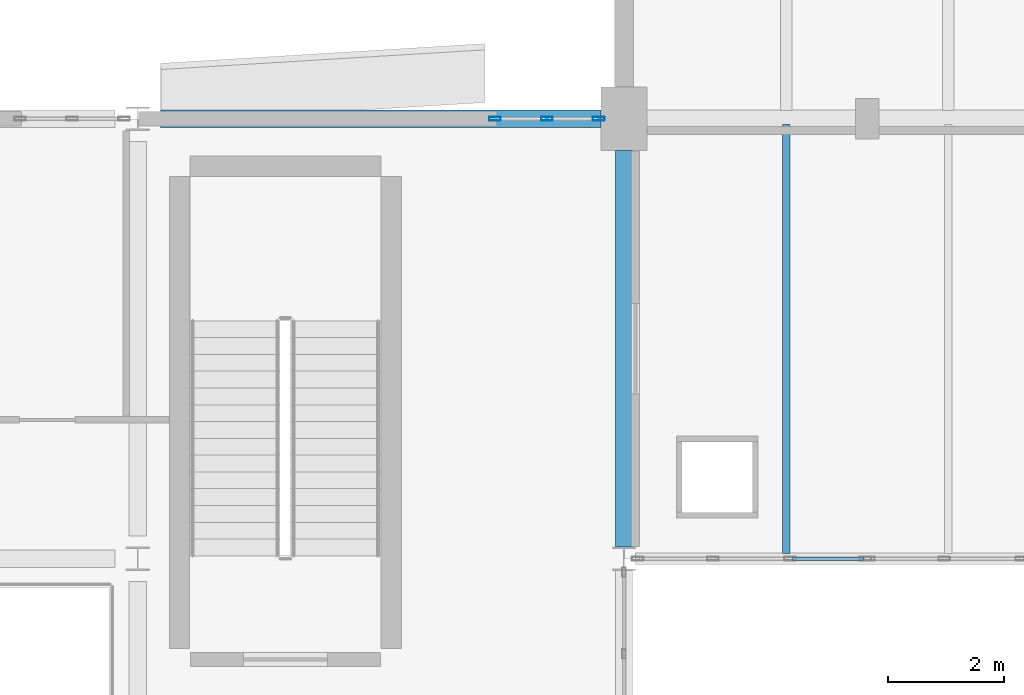
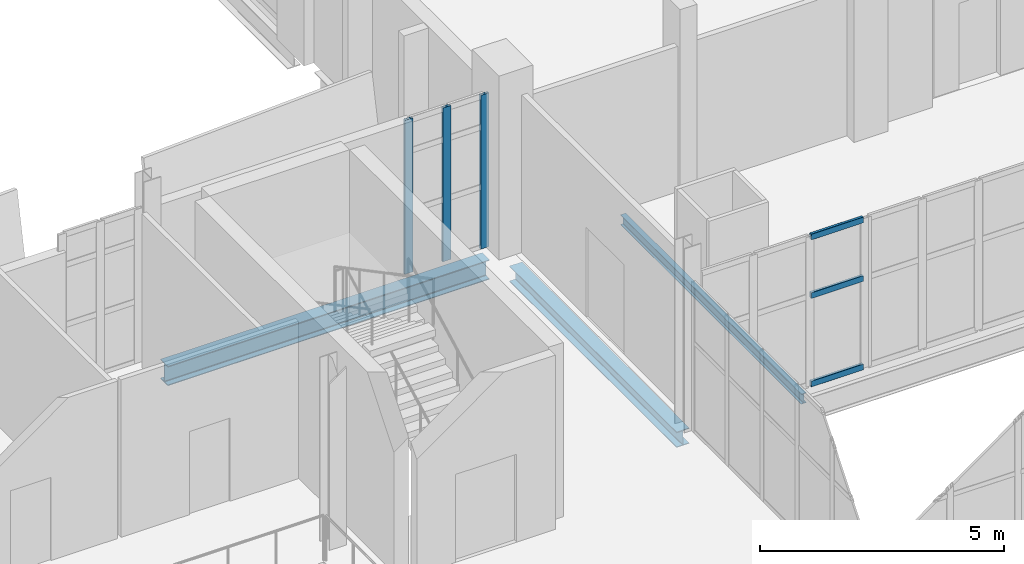
# One storey, part 70 of 172: 6 members, 3 beams, 2 elements without a shape of their own.
"""IFC4 building model written with IfcOpenShell, lengths in metres."""

from ifc_helpers import new_model, si_unit, direction, frame, origin, origin_2d, place, context, subcontext, project, spatial, hollow_rectangle, i_section, extrude, material, material_profile, profile_set, type_object, element, aggregate, save


model = new_model("IFC4")

# Units and contexts
model_context = context("Model", 3, precision=1e-05, world=origin(), true_north=direction((0.0, 1.0)))
body_context = subcontext(model_context, "Body", "Model", "MODEL_VIEW")
ifc_project = project(units=[si_unit("LENGTHUNIT", "METRE"), si_unit("AREAUNIT", "SQUARE_METRE"), si_unit("VOLUMEUNIT", "CUBIC_METRE"), si_unit("PLANEANGLEUNIT", "RADIAN"), si_unit("MASSUNIT", "GRAM", prefix="KILO")], contexts=[model_context])

# Site, building, storey
site_placement = place(None, origin())
site = spatial("IfcSite", under=ifc_project, at=site_placement, CompositionType="ELEMENT")
building_placement = place(site_placement, origin())
building = spatial("IfcBuilding", under=site, at=building_placement, Name="Shengluoqiao Park Theatre", CompositionType="ELEMENT")
storey_placement = place(building_placement, frame((0.0, 0.0, 5.39990234375)))
storey = spatial("IfcBuildingStorey", under=building, at=storey_placement, Name="L01", CompositionType="ELEMENT", Elevation=5.39990234375)

# Curtain wall, members
ifc_material_1 = material(Name="Aluminium 6063-T6", Category="aluminium")
curtain_wall_type_1 = type_object("IfcCurtainWallType", Name="ENV-CW-FOYER", PredefinedType="NOTDEFINED", material=ifc_material_1)
curtain_wall_1_placement = place(storey_placement, origin())
curtain_wall_1 = element("IfcCurtainWall", 1, at=curtain_wall_1_placement, inside=storey, type_object=curtain_wall_type_1, Name="L01 Curtain Wall CW-L01-0050", PredefinedType="NOTDEFINED")
ifc_material_profile_1 = material_profile(ifc_material_1, hollow_rectangle(XDim=0.06494140625, YDim=0.199951171875, WallThickness=0.0048828125, InnerFilletRadius=0.0048828125, OuterFilletRadius=0.010009765625, at=origin_2d()), Name="ALU MULLION 200x65x5")
ifc_profile_set_1 = profile_set([ifc_material_profile_1], Name="Aluminium 6063-T6")
member_type_1 = type_object("IfcMemberType", Name="ENV-MUL-200", PredefinedType="MULLION", material=ifc_profile_set_1)
member_1_placement = place(storey_placement, frame((42.16845703125, 76.0, 0.0), z_axis=(0.0, 0.0, 1.0), x_axis=(0.0, 1.0, 0.0)))
member_1 = element("IfcMember", 2, at=member_1_placement, type_object=member_type_1, Name="CW-01 mullion 1", PredefinedType="MULLION", context=body_context, shape_type="SweptSolid", body=[
    extrude(hollow_rectangle(XDim=0.06494140625, YDim=0.199951171875, WallThickness=0.0048828125, InnerFilletRadius=0.0048828125, OuterFilletRadius=0.010009765625, at=origin_2d()), origin(), (0.0, 0.0, 1.0), 3.85009765625),
])
member_2_placement = place(storey_placement, frame((43.06591796875, 76.0, 0.0), z_axis=(0.0, 0.0, 1.0), x_axis=(0.0, 1.0, 0.0)))
member_2 = element("IfcMember", 3, at=member_2_placement, type_object=member_type_1, Name="CW-01 mullion 2", PredefinedType="MULLION", context=body_context, shape_type="SweptSolid", body=[
    extrude(hollow_rectangle(XDim=0.06494140625, YDim=0.199951171875, WallThickness=0.0048828125, InnerFilletRadius=0.0048828125, OuterFilletRadius=0.010009765625, at=origin_2d()), origin(), (0.0, 0.0, 1.0), 3.85009765625),
])
member_3_placement = place(storey_placement, frame((43.96337890625, 76.0, 0.0), z_axis=(0.0, 0.0, 1.0), x_axis=(0.0, 1.0, 0.0)))
member_3 = element("IfcMember", 4, at=member_3_placement, type_object=member_type_1, Name="CW-01 mullion 3", PredefinedType="MULLION", context=body_context, shape_type="SweptSolid", body=[
    extrude(hollow_rectangle(XDim=0.06494140625, YDim=0.199951171875, WallThickness=0.0048828125, InnerFilletRadius=0.0048828125, OuterFilletRadius=0.010009765625, at=origin_2d()), origin(), (0.0, 0.0, 1.0), 3.85009765625),
])
aggregate(curtain_wall_1, [member_1, member_2, member_3])

curtain_wall_type_2 = type_object("IfcCurtainWallType", Name="ENV-CW-PROM", PredefinedType="NOTDEFINED", material=ifc_material_1)
curtain_wall_2_placement = place(storey_placement, origin())
curtain_wall_2 = element("IfcCurtainWall", 5, at=curtain_wall_2_placement, inside=storey, type_object=curtain_wall_type_2, Name="L01 Curtain Wall CW-L01-0051", PredefinedType="NOTDEFINED")
ifc_material_profile_2 = material_profile(ifc_material_1, hollow_rectangle(XDim=0.06494140625, YDim=0.14990234375, WallThickness=0.00390625, InnerFilletRadius=0.00390625, OuterFilletRadius=0.008056640625, at=origin_2d()), Name="ALU TRANSOM 150x65x4")
ifc_profile_set_2 = profile_set([ifc_material_profile_2], Name="Aluminium 6063-T6")
member_type_2 = type_object("IfcMemberType", Name="ENV-TRN-150", PredefinedType="USERDEFINED", material=ifc_profile_set_2)
member_4_placement = place(storey_placement, frame((47.300537109375, 68.39990234375, 0.03271484375), z_axis=(1.0, 0.0, 0.0), x_axis=(0.0, 1.0, 0.0)))
member_4 = element("IfcMember", 6, at=member_4_placement, type_object=member_type_2, Name="CW-04 transom 3.1", ObjectType="TRANSOM", PredefinedType="USERDEFINED", context=body_context, shape_type="SweptSolid", body=[
    extrude(hollow_rectangle(XDim=0.06494140625, YDim=0.14990234375, WallThickness=0.00390625, InnerFilletRadius=0.00390625, OuterFilletRadius=0.008056640625, at=origin_2d()), origin(), (0.0, 0.0, 1.0), 1.234375),
])
member_5_placement = place(storey_placement, frame((47.300537109375, 68.39990234375, 2.2451171875), z_axis=(1.0, 0.0, 0.0), x_axis=(0.0, 1.0, 0.0)))
member_5 = element("IfcMember", 7, at=member_5_placement, type_object=member_type_2, Name="CW-04 transom 3.2", ObjectType="TRANSOM", PredefinedType="USERDEFINED", context=body_context, shape_type="SweptSolid", body=[
    extrude(hollow_rectangle(XDim=0.06494140625, YDim=0.14990234375, WallThickness=0.00390625, InnerFilletRadius=0.00390625, OuterFilletRadius=0.008056640625, at=origin_2d()), origin(), (0.0, 0.0, 1.0), 1.234375),
])
member_6_placement = place(storey_placement, frame((47.300537109375, 68.39990234375, 3.709716796875), z_axis=(1.0, 0.0, 0.0), x_axis=(0.0, 1.0, 0.0)))
member_6 = element("IfcMember", 8, at=member_6_placement, type_object=member_type_2, Name="CW-04 transom 3.3", ObjectType="TRANSOM", PredefinedType="USERDEFINED", context=body_context, shape_type="SweptSolid", body=[
    extrude(hollow_rectangle(XDim=0.06494140625, YDim=0.14990234375, WallThickness=0.00390625, InnerFilletRadius=0.00390625, OuterFilletRadius=0.008056640625, at=origin_2d()), origin(), (0.0, 0.0, 1.0), 1.234375),
])
aggregate(curtain_wall_2, [member_4, member_5, member_6])

# Beams
ifc_material_2 = material(Name="Steel Q355", Category="steel")
ifc_material_profile_3 = material_profile(ifc_material_2, i_section(OverallWidth=0.300048828125, OverallDepth=0.389892578125, WebThickness=0.010009765625, FlangeThickness=0.01611328125, FilletRadius=0.01806640625, at=origin_2d()), Name="HM 390x300x10x16")
ifc_profile_set_3 = profile_set([ifc_material_profile_3], Name="Steel Q355")
beam_type_1 = type_object("IfcBeamType", Name="STR-BM-G-HM390", PredefinedType="BEAM", material=ifc_profile_set_3)
beam_1_placement = place(storey_placement, frame((44.39990234375, 68.60107421875, -0.434814453125), z_axis=(0.0, 1.0, 0.0), x_axis=(-1.0, 0.0, 0.0)))
element("IfcBeam", 9, at=beam_1_placement, inside=storey, type_object=beam_type_1, Name="L01 Transverse Girder 00493", PredefinedType="BEAM", context=body_context, shape_type="SweptSolid", body=[
    extrude(i_section(OverallWidth=0.300048828125, OverallDepth=0.389892578125, WebThickness=0.010009765625, FlangeThickness=0.01611328125, FilletRadius=0.01806640625, at=origin_2d()), origin(), (0.0, 0.0, 1.0), 6.85498046875),
])
ifc_material_profile_4 = material_profile(ifc_material_2, i_section(OverallWidth=0.300048828125, OverallDepth=0.488037109375, WebThickness=0.010986328125, FlangeThickness=0.01806640625, FilletRadius=0.02197265625, at=origin_2d()), Name="HM 488x300x11x18")
ifc_profile_set_4 = profile_set([ifc_material_profile_4], Name="Steel Q355")
beam_type_2 = type_object("IfcBeamType", Name="STR-BM-G-HM488", PredefinedType="BEAM", material=ifc_profile_set_4)
beam_2_placement = place(storey_placement, frame((36.39404296875, 76.0, -0.48388671875), z_axis=(1.0, 0.0, 0.0), x_axis=(0.0, 1.0, 0.0)))
element("IfcBeam", 10, at=beam_2_placement, inside=storey, type_object=beam_type_2, Name="L01 Primary Girder 00488", PredefinedType="BEAM", context=body_context, shape_type="SweptSolid", body=[
    extrude(i_section(OverallWidth=0.300048828125, OverallDepth=0.488037109375, WebThickness=0.010986328125, FlangeThickness=0.01806640625, FilletRadius=0.02197265625, at=origin_2d()), origin(), (0.0, 0.0, 1.0), 7.612060546875),
])
ifc_material_profile_5 = material_profile(ifc_material_2, i_section(OverallWidth=0.125, OverallDepth=0.25, WebThickness=0.006103515625, FlangeThickness=0.009033203125, FilletRadius=0.010009765625, at=origin_2d()), Name="HN 250x125x6x9")
ifc_profile_set_5 = profile_set([ifc_material_profile_5], Name="Steel Q355")
beam_type_3 = type_object("IfcBeamType", Name="STR-BM-J-HN250", PredefinedType="JOIST", material=ifc_profile_set_5)
beam_3_placement = place(storey_placement, frame((47.199951171875, 68.494384765625, -0.364990234375), z_axis=(0.0, 1.0, 0.0), x_axis=(-1.0, 0.0, 0.0)))
element("IfcBeam", 11, at=beam_3_placement, inside=storey, type_object=beam_type_3, Name="L01 Composite Joist 00506", PredefinedType="JOIST", context=body_context, shape_type="SweptSolid", body=[
    extrude(i_section(OverallWidth=0.125, OverallDepth=0.25, WebThickness=0.006103515625, FlangeThickness=0.009033203125, FilletRadius=0.010009765625, at=origin_2d()), origin(), (0.0, 0.0, 1.0), 7.4111328125),
])

save(model, "model.ifc")
